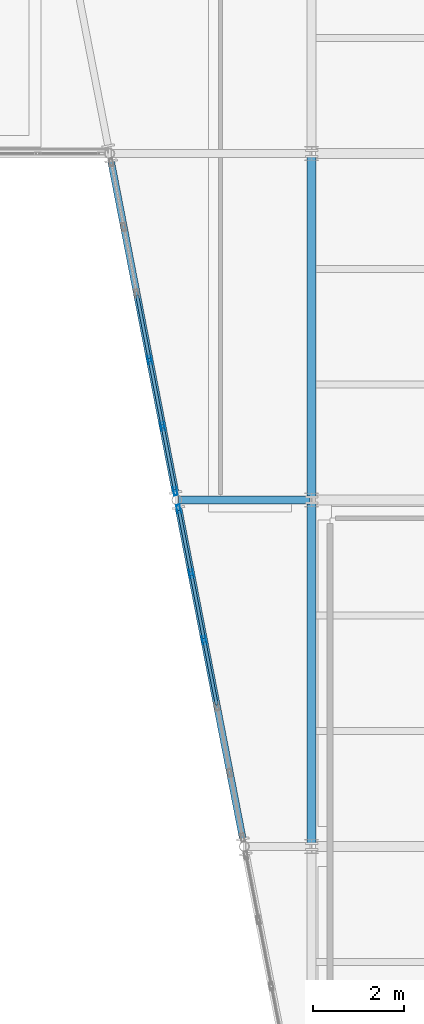
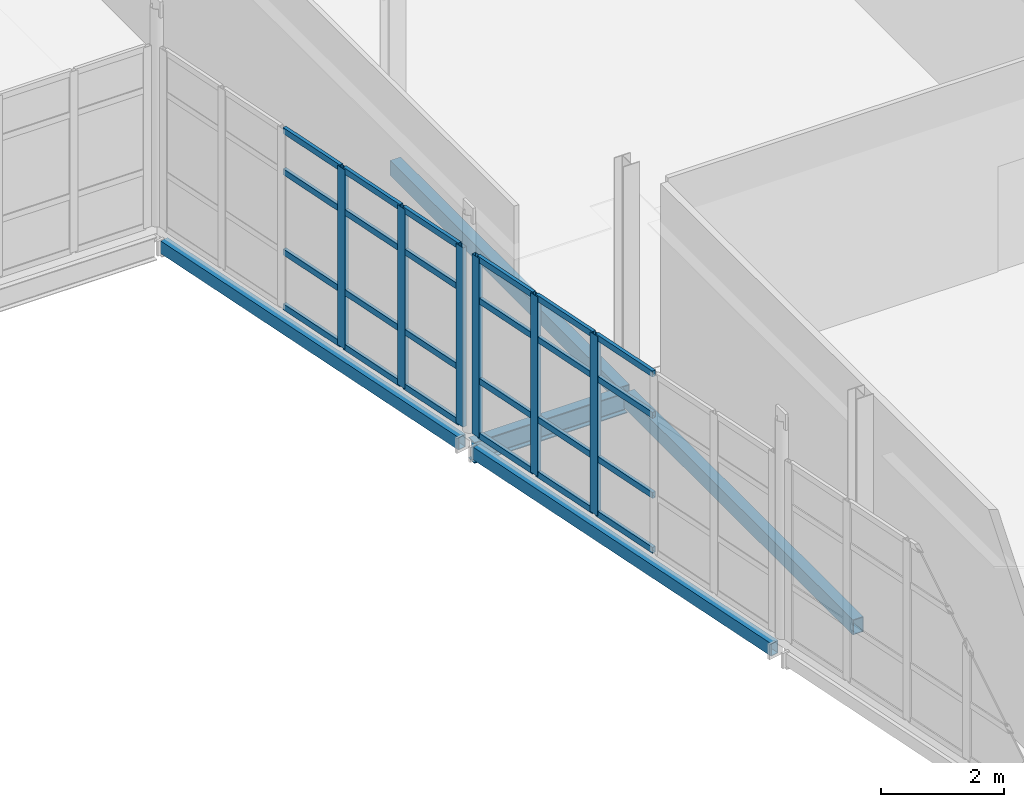
# One storey, part 87 of 166: 30 members, 5 beams, 2 elements without a shape of their own.
"""IFC4 building model written with IfcOpenShell, lengths in metres."""

import ifcopenshell
import ifcopenshell.guid

model = None  # the IFC model being written
_history = None  # IfcOwnerHistory: only IFC2X3 demands one
_inside = {}  # id of a spatial element -> (the spatial element, [elements in it])
_under = {}  # id of a project, library or spatial element -> (it, [spatial elements below it])
_declared = {}  # id of a project -> (the project, [libraries it declares])
_typed = {}  # id of a type object -> (the type object, [elements of that type])
_made_of = {}  # id of a material, layer set ... -> (it, [elements and type objects made of it])


def new_model(schema):
    """Start an empty IFC model of exactly this schema.

    Asked for "IFC4X3", IfcOpenShell would pick the latest addendum, in which some entities
    have other attributes; the version numbers below select the first issue.
    IFC2X3 requires an IfcOwnerHistory on every rooted entity: one is made here for all.
    """
    global model, _history
    if schema == "IFC4X3":
        model = ifcopenshell.file(schema_version=(4, 3, 0, 0))
    else:
        model = ifcopenshell.file(schema=schema)
    _inside.clear()
    _under.clear()
    _declared.clear()
    _typed.clear()
    _made_of.clear()
    _history = None
    if model.schema == "IFC2X3":
        org = make("IfcOrganization", Name="unknown")
        user = make(
            "IfcPersonAndOrganization",
            ThePerson=make("IfcPerson", FamilyName="unknown"),
            TheOrganization=org,
        )
        app = make(
            "IfcApplication",
            ApplicationDeveloper=org,
            Version="unknown",
            ApplicationFullName="unknown",
            ApplicationIdentifier="unknown",
        )
        _history = make(
            "IfcOwnerHistory",
            OwningUser=user,
            OwningApplication=app,
            ChangeAction="ADDED",
            CreationDate=0,
        )
    return model


def make(cls, **values):
    """One entity of the class cls with the attributes given. An attribute that is None is left unset."""
    return model.create_entity(
        cls, **{name: value for name, value in values.items() if value is not None}
    )


def rooted(cls, **values):
    """An entity with a GlobalId (a new one), such as an element, a storey or a relation."""
    return make(cls, GlobalId=ifcopenshell.guid.new(), OwnerHistory=_history, **values)


def si_unit(unit_type, name, prefix=None):
    """IfcSIUnit, for example si_unit("LENGTHUNIT", "METRE", prefix="MILLI")."""
    return make("IfcSIUnit", UnitType=unit_type, Prefix=prefix, Name=name)


def assignment(units):
    """IfcUnitAssignment: the units of a project."""
    return None if units is None else make("IfcUnitAssignment", Units=units)


def point(xyz):
    """IfcCartesianPoint."""
    return None if xyz is None else make("IfcCartesianPoint", Coordinates=xyz)


def direction(xyz):
    """IfcDirection."""
    return None if xyz is None else make("IfcDirection", DirectionRatios=xyz)


def frame(location, z_axis=None, x_axis=None):
    """IfcAxis2Placement3D, a coordinate frame: its origin and axes. An axis left out is left unset."""
    return make(
        "IfcAxis2Placement3D",
        Location=point(location),
        Axis=direction(z_axis),
        RefDirection=direction(x_axis),
    )


def frame_2d(location, x_axis=None):
    """IfcAxis2Placement2D, a coordinate frame in the plane: its origin and x axis."""
    return make(
        "IfcAxis2Placement2D", Location=point(location), RefDirection=direction(x_axis)
    )


def origin():
    """The frame at (0, 0, 0) with its axes left unset."""
    return frame((0.0, 0.0, 0.0))


def origin_2d():
    """The frame at (0, 0) in the plane with its x axis left unset."""
    return frame_2d((0.0, 0.0))


def place(relative_to, where):
    """IfcLocalPlacement: puts the frame where relative to a parent placement (None: the world)."""
    return make(
        "IfcLocalPlacement", PlacementRelTo=relative_to, RelativePlacement=where
    )


def context(
    kind, dimensions, precision=None, world=None, true_north=None, identifier=None
):
    """IfcGeometricRepresentationContext, for example the 3D "Model" context."""
    return make(
        "IfcGeometricRepresentationContext",
        ContextIdentifier=identifier,
        ContextType=kind,
        CoordinateSpaceDimension=dimensions,
        Precision=precision,
        WorldCoordinateSystem=world,
        TrueNorth=true_north,
    )


def subcontext(parent, identifier, kind, view, scale=None):
    """IfcGeometricRepresentationSubContext, for example "Body" below "Model"."""
    return make(
        "IfcGeometricRepresentationSubContext",
        ContextIdentifier=identifier,
        ContextType=kind,
        ParentContext=parent,
        TargetScale=scale,
        TargetView=view,
    )


def project(units=None, contexts=None):
    """IfcProject with its units and contexts."""
    return rooted(
        "IfcProject",
        Name="project",
        RepresentationContexts=contexts,
        UnitsInContext=assignment(units),
    )


def spatial(cls, under=None, at=None, **own):
    """A site, building, storey or space (cls), placed at a placement, below another one or the project."""
    s = rooted(cls, ObjectPlacement=at, **own)
    if under is not None:
        _under.setdefault(under.id(), (under, []))[1].append(s)
    return s


def profile(cls, at=None, kind="AREA", **sizes):
    """A parametric profile (cls). Its sizes go by their IFC names, for example OverallWidth=200.0."""
    return make(cls, ProfileType=kind, Position=at, **sizes)


def hollow_rectangle(**sizes):
    """IfcRectangleHollowProfileDef."""
    return profile("IfcRectangleHollowProfileDef", **sizes)


def i_section(**sizes):
    """IfcIShapeProfileDef."""
    return profile("IfcIShapeProfileDef", **sizes)


def extrude(swept, where, along, depth):
    """IfcExtrudedAreaSolid: the profile swept, set in the frame where, extruded along a direction by depth."""
    return make(
        "IfcExtrudedAreaSolid",
        SweptArea=swept,
        Position=where,
        ExtrudedDirection=direction(along),
        Depth=depth,
    )


def shape(context_of_items, identifier, shape_type, items):
    """IfcShapeRepresentation: the items that make up one representation, for example the "Body"."""
    return make(
        "IfcShapeRepresentation",
        ContextOfItems=context_of_items,
        RepresentationIdentifier=identifier,
        RepresentationType=shape_type,
        Items=items,
    )


def material(Name=None, Category=None):
    """IfcMaterial."""
    return make("IfcMaterial", Name=Name, Category=Category)


def material_profile(
    of_material, cross_section, Name=None, Category=None, Priority=None
):
    """IfcMaterialProfile: a cross section and its material."""
    return make(
        "IfcMaterialProfile",
        Name=Name,
        Material=of_material,
        Profile=cross_section,
        Priority=Priority,
        Category=Category,
    )


def profile_set(profiles, Name=None, composite=None):
    """IfcMaterialProfileSet."""
    return make(
        "IfcMaterialProfileSet",
        Name=Name,
        MaterialProfiles=profiles,
        CompositeProfile=composite,
    )


def made_of(thing, what):
    """Note that an element or type object is made of a material, layer set ...; save() writes the relation."""
    if what is not None:
        _made_of.setdefault(what.id(), (what, []))[1].append(thing)
    return thing


def type_object(cls, material=None, **own):
    """A type object (cls), such as IfcWallType, which elements share."""
    return made_of(rooted(cls, **own), material)


def element(
    cls,
    number,
    at=None,
    inside=None,
    cuts=None,
    type_object=None,
    material=None,
    context=None,
    identifier="Body",
    shape_type=None,
    held_by="IfcProductDefinitionShape",
    body=None,
    shapes=None,
    **own,
):
    """One element of the class cls, such as IfcWall. Its Tag is "e" and its number.

    at: its placement. inside: the storey or other place that contains it. cuts: it is an
    opening in that element (IfcRelVoidsElement). A single representation is given by context,
    identifier, shape_type and body (its items); several are given by shapes. held_by: the class
    of the entity that holds the representations. save() writes the other relations.
    """
    e = rooted(cls, Tag="e%d" % number, ObjectPlacement=at, **own)
    if body is not None:
        shapes = [shape(context, identifier, shape_type, body)]
    if shapes is not None:
        e.Representation = make(held_by, Representations=shapes)
    if inside is not None:
        _inside.setdefault(inside.id(), (inside, []))[1].append(e)
    if cuts is not None:
        rooted(
            "IfcRelVoidsElement", RelatingBuildingElement=cuts, RelatedOpeningElement=e
        )
    if type_object is not None:
        _typed.setdefault(type_object.id(), (type_object, []))[1].append(e)
    return made_of(e, material)


def aggregate(whole, parts):
    """IfcRelAggregates: a whole, such as a stair, and the parts it consists of."""
    return rooted("IfcRelAggregates", RelatingObject=whole, RelatedObjects=parts)


def save(model, path):
    """Write the relations noted so far, then the file.

    IfcRelAggregates (storeys below a building ...), IfcRelContainedInSpatialStructure (elements
    in a storey), IfcRelDefinesByType, IfcRelAssociatesMaterial and IfcRelDeclares: one each for
    every whole, place, type object, material and project.
    """
    for whole, parts in _under.values():
        aggregate(whole, parts)
    for where, things in _inside.values():
        rooted(
            "IfcRelContainedInSpatialStructure",
            RelatedElements=things,
            RelatingStructure=where,
        )
    for kind, things in _typed.values():
        rooted("IfcRelDefinesByType", RelatedObjects=things, RelatingType=kind)
    for what, things in _made_of.values():
        rooted("IfcRelAssociatesMaterial", RelatedObjects=things, RelatingMaterial=what)
    for by, libraries in _declared.values():
        rooted("IfcRelDeclares", RelatingContext=by, RelatedDefinitions=libraries)
    model.write(path)


model = new_model("IFC4")

# Units and contexts
model_context = context("Model", 3, precision=1e-05, world=origin(), true_north=direction((0.0, 1.0)))
body_context = subcontext(model_context, "Body", "Model", "MODEL_VIEW")
ifc_project = project(units=[si_unit("LENGTHUNIT", "METRE"), si_unit("AREAUNIT", "SQUARE_METRE"), si_unit("VOLUMEUNIT", "CUBIC_METRE"), si_unit("PLANEANGLEUNIT", "RADIAN"), si_unit("MASSUNIT", "GRAM", prefix="KILO")], contexts=[model_context])

# Site, building, storey
site_placement = place(None, origin())
site = spatial("IfcSite", under=ifc_project, at=site_placement, CompositionType="ELEMENT")
building_placement = place(site_placement, origin())
building = spatial("IfcBuilding", under=site, at=building_placement, Name="Caisbarro Railhouse Central Library", CompositionType="ELEMENT")
storey_placement = place(building_placement, frame((0.0, 0.0, 9.360107421875)))
storey = spatial("IfcBuildingStorey", under=building, at=storey_placement, Name="L02", CompositionType="ELEMENT", Elevation=9.360107421875)

# Beams
ifc_material_1 = material(Name="Steel ASTM A572 Grade 50", Category="steel")
ifc_material_profile_1 = material_profile(ifc_material_1, i_section(OverallWidth=0.180908203125, OverallDepth=0.4169921875, WebThickness=0.010986328125, FlangeThickness=0.018310546875, FilletRadius=0.01611328125, at=origin_2d()), Name="W410X85.0")
ifc_profile_set_1 = profile_set([ifc_material_profile_1], Name="Steel ASTM A572 Grade 50")
beam_type_1 = type_object("IfcBeamType", Name="BM-G09", PredefinedType="BEAM", material=ifc_profile_set_1)
beam_1_placement = place(storey_placement, frame((114.0849609375, 76.0, -0.4287109375), z_axis=(1.0, 0.0, 0.0), x_axis=(0.0, 1.0, 0.0)))
element("IfcBeam", 1, at=beam_1_placement, inside=storey, type_object=beam_type_1, Name="G09 beam L02 #1749", PredefinedType="BEAM", context=body_context, shape_type="SweptSolid", body=[
    extrude(i_section(OverallWidth=0.180908203125, OverallDepth=0.4169921875, WebThickness=0.010986328125, FlangeThickness=0.018310546875, FilletRadius=0.01611328125, at=origin_2d()), origin(), (0.0, 0.0, 1.0), 2.875),
])
ifc_material_profile_2 = material_profile(ifc_material_1, hollow_rectangle(XDim=0.199951171875, YDim=0.300048828125, WallThickness=0.012451171875, at=origin_2d()), Name="HSS300X200X12.5")
ifc_profile_set_2 = profile_set([ifc_material_profile_2], Name="Steel ASTM A572 Grade 50")
beam_type_2 = type_object("IfcBeamType", Name="BM-SP02", PredefinedType="SPANDREL", material=ifc_profile_set_2)
for number, where, z_axis, x_axis, name in (
    (2, (117.0, 68.47998046875, -0.3701171875), (0.0, 1.0, 0.0), (-1.0, 0.0, 0.0), "SP02 beam L02 #1507"),
    (3, (117.0, 76.080078125, -0.3701171875), (0.0, 1.0, 0.0), (-1.0, 0.0, 0.0), "SP02 beam L02 #1508"),
):
    element("IfcBeam", number, at=place(storey_placement, frame(where, z_axis=z_axis, x_axis=x_axis)), inside=storey, type_object=beam_type_2, Name=name, PredefinedType="SPANDREL", context=body_context, shape_type="SweptSolid", body=[
        extrude(hollow_rectangle(XDim=0.199951171875, YDim=0.300048828125, WallThickness=0.012451171875, at=origin_2d()), origin(), (0.0, 0.0, 1.0), 7.43994140625),
    ])
ifc_material_profile_3 = material_profile(ifc_material_1, hollow_rectangle(XDim=0.14990234375, YDim=0.25, WallThickness=0.010009765625, at=origin_2d()), Name="HSS250X150X10")
ifc_profile_set_3 = profile_set([ifc_material_profile_3], Name="Steel ASTM A572 Grade 50")
beam_type_3 = type_object("IfcBeamType", Name="BM-SP03", PredefinedType="SPANDREL", material=ifc_profile_set_3)
beam_2_placement = place(storey_placement, frame((115.488525390625, 68.57666015625, -0.34521484375), z_axis=(-0.19088559215, 0.981612291442, 0.0), x_axis=(-0.981612291442, -0.19088559215, 0.0)))
element("IfcBeam", 4, at=beam_2_placement, inside=storey, type_object=beam_type_3, Name="SP03 beam L02 #1743", PredefinedType="SPANDREL", context=body_context, shape_type="SweptSolid", body=[
    extrude(hollow_rectangle(XDim=0.14990234375, YDim=0.25, WallThickness=0.010009765625, at=origin_2d()), origin(), (0.0, 0.0, 1.0), 7.38232421875),
])
beam_3_placement = place(storey_placement, frame((114.0107421875, 76.1767578125, -0.34521484375), z_axis=(-0.1907899916, 0.981630877217, 0.0), x_axis=(-0.981630877217, -0.1907899916, 0.0)))
element("IfcBeam", 5, at=beam_3_placement, inside=storey, type_object=beam_type_3, Name="SP03 beam L02 #1744", PredefinedType="SPANDREL", context=body_context, shape_type="SweptSolid", body=[
    extrude(hollow_rectangle(XDim=0.14990234375, YDim=0.25, WallThickness=0.010009765625, at=origin_2d()), origin(), (0.0, 0.0, 1.0), 7.382080078125),
])

# Curtain wall, members
ifc_material_2 = material(Name="Anodised architectural aluminium", Category="aluminium")
curtain_wall_type = type_object("IfcCurtainWallType", Name="CW-CW02", PredefinedType="NOTDEFINED", material=ifc_material_2)
curtain_wall_1_placement = place(storey_placement, origin())
curtain_wall_1 = element("IfcCurtainWall", 6, at=curtain_wall_1_placement, inside=storey, type_object=curtain_wall_type, Name="CW02 curtain wall L02 #127", PredefinedType="NOTDEFINED")
ifc_material_profile_4 = material_profile(ifc_material_2, hollow_rectangle(XDim=0.074951171875, YDim=0.179931640625, WallThickness=0.00439453125, at=origin_2d()), Name="ALU-MUL-75X180")
ifc_profile_set_4 = profile_set([ifc_material_profile_4], Name="Anodised architectural aluminium")
member_type_1 = type_object("IfcMemberType", Name="CWM-M01", PredefinedType="MULLION", material=ifc_profile_set_4)
member_1_placement = place(storey_placement, frame((114.642333984375, 72.928466796875, 0.0), z_axis=(0.0, 0.0, 1.0), x_axis=(-0.98160739523, -0.190910768765, 0.0)))
member_1 = element("IfcMember", 7, at=member_1_placement, type_object=member_type_1, Name="CW02 mullion 4", PredefinedType="MULLION", context=body_context, shape_type="SweptSolid", body=[
    extrude(hollow_rectangle(XDim=0.074951171875, YDim=0.179931640625, WallThickness=0.00439453125, at=origin_2d()), origin(), (0.0, 0.0, 1.0), 3.559814453125),
])
member_2_placement = place(storey_placement, frame((114.35888671875, 74.3857421875, 0.0), z_axis=(0.0, 0.0, 1.0), x_axis=(-0.98160739523, -0.190910768765, 0.0)))
member_2 = element("IfcMember", 8, at=member_2_placement, type_object=member_type_1, Name="CW02 mullion 5", PredefinedType="MULLION", context=body_context, shape_type="SweptSolid", body=[
    extrude(hollow_rectangle(XDim=0.074951171875, YDim=0.179931640625, WallThickness=0.00439453125, at=origin_2d()), origin(), (0.0, 0.0, 1.0), 3.559814453125),
])
member_3_placement = place(storey_placement, frame((114.082763671875, 75.80615234375, 0.0), z_axis=(0.0, 0.0, 1.0), x_axis=(-0.98160739523, -0.190910768765, 0.0)))
member_3 = element("IfcMember", 9, at=member_3_placement, type_object=member_type_1, Name="CW02 mullion 6", PredefinedType="MULLION", context=body_context, shape_type="SweptSolid", body=[
    extrude(hollow_rectangle(XDim=0.074951171875, YDim=0.179931640625, WallThickness=0.00439453125, at=origin_2d()), origin(), (0.0, 0.0, 1.0), 3.559814453125),
])

curtain_wall_2_placement = place(storey_placement, origin())
curtain_wall_2 = element("IfcCurtainWall", 10, at=curtain_wall_2_placement, inside=storey, type_object=curtain_wall_type, Name="CW02 curtain wall L02 #128", PredefinedType="NOTDEFINED")
member_4_placement = place(storey_placement, frame((114.00732421875, 76.19384765625, 0.0), z_axis=(0.0, 0.0, 1.0), x_axis=(-0.981632635401, -0.190780945369, 0.0)))
member_4 = element("IfcMember", 11, at=member_4_placement, type_object=member_type_1, Name="CW02 mullion 1", PredefinedType="MULLION", context=body_context, shape_type="SweptSolid", body=[
    extrude(hollow_rectangle(XDim=0.074951171875, YDim=0.179931640625, WallThickness=0.00439453125, at=origin_2d()), origin(), (0.0, 0.0, 1.0), 3.559814453125),
])
member_5_placement = place(storey_placement, frame((113.731201171875, 77.6142578125, 0.0), z_axis=(0.0, 0.0, 1.0), x_axis=(-0.981632635401, -0.190780945369, 0.0)))
member_5 = element("IfcMember", 12, at=member_5_placement, type_object=member_type_1, Name="CW02 mullion 2", PredefinedType="MULLION", context=body_context, shape_type="SweptSolid", body=[
    extrude(hollow_rectangle(XDim=0.074951171875, YDim=0.179931640625, WallThickness=0.00439453125, at=origin_2d()), origin(), (0.0, 0.0, 1.0), 3.559814453125),
])
member_6_placement = place(storey_placement, frame((113.447998046875, 79.071533203125, 0.0), z_axis=(0.0, 0.0, 1.0), x_axis=(-0.981632635401, -0.190780945369, 0.0)))
member_6 = element("IfcMember", 13, at=member_6_placement, type_object=member_type_1, Name="CW02 mullion 3", PredefinedType="MULLION", context=body_context, shape_type="SweptSolid", body=[
    extrude(hollow_rectangle(XDim=0.074951171875, YDim=0.179931640625, WallThickness=0.00439453125, at=origin_2d()), origin(), (0.0, 0.0, 1.0), 3.559814453125),
])

# Member
ifc_material_profile_5 = material_profile(ifc_material_2, hollow_rectangle(XDim=0.06494140625, YDim=0.1201171875, WallThickness=0.00341796875, at=origin_2d()), Name="ALU-TRN-65X120")
ifc_profile_set_5 = profile_set([ifc_material_profile_5], Name="Anodised architectural aluminium")
member_type_2 = type_object("IfcMemberType", Name="CWT-T02", PredefinedType="USERDEFINED", material=ifc_profile_set_5)
member_7_placement = place(storey_placement, frame((114.91845703125, 71.50830078125, 0.032470703125), z_axis=(-0.190883567843, 0.981612685089, 0.0), x_axis=(-0.981612685089, -0.190883567843, 0.0)))
member_7 = element("IfcMember", 14, at=member_7_placement, type_object=member_type_2, Name="CW02 transom 3.1", ObjectType="TRANSOM", PredefinedType="USERDEFINED", context=body_context, shape_type="SweptSolid", body=[
    extrude(hollow_rectangle(XDim=0.06494140625, YDim=0.1201171875, WallThickness=0.00341796875, at=origin_2d()), origin(), (0.0, 0.0, 1.0), 1.409423828125),
])

member_8_placement = place(storey_placement, frame((114.91845703125, 71.50830078125, 1.119873046875), z_axis=(-0.190883567843, 0.981612685089, 0.0), x_axis=(-0.981612685089, -0.190883567843, 0.0)))
member_8 = element("IfcMember", 15, at=member_8_placement, type_object=member_type_2, Name="CW02 transom 3.2", ObjectType="TRANSOM", PredefinedType="USERDEFINED", context=body_context, shape_type="SweptSolid", body=[
    extrude(hollow_rectangle(XDim=0.06494140625, YDim=0.1201171875, WallThickness=0.00341796875, at=origin_2d()), origin(), (0.0, 0.0, 1.0), 1.409423828125),
])

member_9_placement = place(storey_placement, frame((114.91845703125, 71.50830078125, 2.7099609375), z_axis=(-0.190883567843, 0.981612685089, 0.0), x_axis=(-0.981612685089, -0.190883567843, 0.0)))
member_9 = element("IfcMember", 16, at=member_9_placement, type_object=member_type_2, Name="CW02 transom 3.3", ObjectType="TRANSOM", PredefinedType="USERDEFINED", context=body_context, shape_type="SweptSolid", body=[
    extrude(hollow_rectangle(XDim=0.06494140625, YDim=0.1201171875, WallThickness=0.00341796875, at=origin_2d()), origin(), (0.0, 0.0, 1.0), 1.409423828125),
])

member_10_placement = place(storey_placement, frame((114.91845703125, 71.50830078125, 3.52734375), z_axis=(-0.190883567843, 0.981612685089, 0.0), x_axis=(-0.981612685089, -0.190883567843, 0.0)))
member_10 = element("IfcMember", 17, at=member_10_placement, type_object=member_type_2, Name="CW02 transom 3.4", ObjectType="TRANSOM", PredefinedType="USERDEFINED", context=body_context, shape_type="SweptSolid", body=[
    extrude(hollow_rectangle(XDim=0.06494140625, YDim=0.1201171875, WallThickness=0.00341796875, at=origin_2d()), origin(), (0.0, 0.0, 1.0), 1.409423828125),
])

member_11_placement = place(storey_placement, frame((114.63525390625, 72.96533203125, 0.032470703125), z_axis=(-0.191050463767, 0.981580215925, 0.0), x_axis=(-0.981580215925, -0.191050463767, 0.0)))
member_11 = element("IfcMember", 18, at=member_11_placement, type_object=member_type_2, Name="CW02 transom 4.1", ObjectType="TRANSOM", PredefinedType="USERDEFINED", context=body_context, shape_type="SweptSolid", body=[
    extrude(hollow_rectangle(XDim=0.06494140625, YDim=0.1201171875, WallThickness=0.00341796875, at=origin_2d()), origin(), (0.0, 0.0, 1.0), 1.409423828125),
])

member_12_placement = place(storey_placement, frame((114.63525390625, 72.96533203125, 1.119873046875), z_axis=(-0.191050463767, 0.981580215925, 0.0), x_axis=(-0.981580215925, -0.191050463767, 0.0)))
member_12 = element("IfcMember", 19, at=member_12_placement, type_object=member_type_2, Name="CW02 transom 4.2", ObjectType="TRANSOM", PredefinedType="USERDEFINED", context=body_context, shape_type="SweptSolid", body=[
    extrude(hollow_rectangle(XDim=0.06494140625, YDim=0.1201171875, WallThickness=0.00341796875, at=origin_2d()), origin(), (0.0, 0.0, 1.0), 1.409423828125),
])

member_13_placement = place(storey_placement, frame((114.63525390625, 72.96533203125, 2.7099609375), z_axis=(-0.191050463767, 0.981580215925, 0.0), x_axis=(-0.981580215925, -0.191050463767, 0.0)))
member_13 = element("IfcMember", 20, at=member_13_placement, type_object=member_type_2, Name="CW02 transom 4.3", ObjectType="TRANSOM", PredefinedType="USERDEFINED", context=body_context, shape_type="SweptSolid", body=[
    extrude(hollow_rectangle(XDim=0.06494140625, YDim=0.1201171875, WallThickness=0.00341796875, at=origin_2d()), origin(), (0.0, 0.0, 1.0), 1.409423828125),
])

member_14_placement = place(storey_placement, frame((114.63525390625, 72.96533203125, 3.52734375), z_axis=(-0.191050463767, 0.981580215925, 0.0), x_axis=(-0.981580215925, -0.191050463767, 0.0)))
member_14 = element("IfcMember", 21, at=member_14_placement, type_object=member_type_2, Name="CW02 transom 4.4", ObjectType="TRANSOM", PredefinedType="USERDEFINED", context=body_context, shape_type="SweptSolid", body=[
    extrude(hollow_rectangle(XDim=0.06494140625, YDim=0.1201171875, WallThickness=0.00341796875, at=origin_2d()), origin(), (0.0, 0.0, 1.0), 1.409423828125),
])

member_15_placement = place(storey_placement, frame((114.351806640625, 74.422607421875, 0.032470703125), z_axis=(-0.190945868313, 0.981600568141, 0.0), x_axis=(-0.981600568141, -0.190945868313, 0.0)))
member_15 = element("IfcMember", 22, at=member_15_placement, type_object=member_type_2, Name="CW02 transom 5.1", ObjectType="TRANSOM", PredefinedType="USERDEFINED", context=body_context, shape_type="SweptSolid", body=[
    extrude(hollow_rectangle(XDim=0.06494140625, YDim=0.1201171875, WallThickness=0.00341796875, at=origin_2d()), origin(), (0.0, 0.0, 1.0), 1.371826171875),
])

member_16_placement = place(storey_placement, frame((114.351806640625, 74.422607421875, 1.119873046875), z_axis=(-0.190945868313, 0.981600568141, 0.0), x_axis=(-0.981600568141, -0.190945868313, 0.0)))
member_16 = element("IfcMember", 23, at=member_16_placement, type_object=member_type_2, Name="CW02 transom 5.2", ObjectType="TRANSOM", PredefinedType="USERDEFINED", context=body_context, shape_type="SweptSolid", body=[
    extrude(hollow_rectangle(XDim=0.06494140625, YDim=0.1201171875, WallThickness=0.00341796875, at=origin_2d()), origin(), (0.0, 0.0, 1.0), 1.371826171875),
])

member_17_placement = place(storey_placement, frame((114.351806640625, 74.422607421875, 2.7099609375), z_axis=(-0.190945868313, 0.981600568141, 0.0), x_axis=(-0.981600568141, -0.190945868313, 0.0)))
member_17 = element("IfcMember", 24, at=member_17_placement, type_object=member_type_2, Name="CW02 transom 5.3", ObjectType="TRANSOM", PredefinedType="USERDEFINED", context=body_context, shape_type="SweptSolid", body=[
    extrude(hollow_rectangle(XDim=0.06494140625, YDim=0.1201171875, WallThickness=0.00341796875, at=origin_2d()), origin(), (0.0, 0.0, 1.0), 1.371826171875),
])

member_18_placement = place(storey_placement, frame((114.351806640625, 74.422607421875, 3.52734375), z_axis=(-0.190945868313, 0.981600568141, 0.0), x_axis=(-0.981600568141, -0.190945868313, 0.0)))
member_18 = element("IfcMember", 25, at=member_18_placement, type_object=member_type_2, Name="CW02 transom 5.4", ObjectType="TRANSOM", PredefinedType="USERDEFINED", context=body_context, shape_type="SweptSolid", body=[
    extrude(hollow_rectangle(XDim=0.06494140625, YDim=0.1201171875, WallThickness=0.00341796875, at=origin_2d()), origin(), (0.0, 0.0, 1.0), 1.371826171875),
])

aggregate(curtain_wall_1, [member_1, member_2, member_3, member_7, member_8, member_9, member_10, member_11, member_12, member_13, member_14, member_15, member_16, member_17, member_18])

member_19_placement = place(storey_placement, frame((114.000244140625, 76.230712890625, 0.032470703125), z_axis=(-0.190774392735, 0.981633908887, 0.0), x_axis=(-0.981633908887, -0.190774392735, 0.0)))
member_19 = element("IfcMember", 26, at=member_19_placement, type_object=member_type_2, Name="CW02 transom 1.1", ObjectType="TRANSOM", PredefinedType="USERDEFINED", context=body_context, shape_type="SweptSolid", body=[
    extrude(hollow_rectangle(XDim=0.06494140625, YDim=0.1201171875, WallThickness=0.00341796875, at=origin_2d()), origin(), (0.0, 0.0, 1.0), 1.371826171875),
])

member_20_placement = place(storey_placement, frame((114.000244140625, 76.230712890625, 1.119873046875), z_axis=(-0.190774392735, 0.981633908887, 0.0), x_axis=(-0.981633908887, -0.190774392735, 0.0)))
member_20 = element("IfcMember", 27, at=member_20_placement, type_object=member_type_2, Name="CW02 transom 1.2", ObjectType="TRANSOM", PredefinedType="USERDEFINED", context=body_context, shape_type="SweptSolid", body=[
    extrude(hollow_rectangle(XDim=0.06494140625, YDim=0.1201171875, WallThickness=0.00341796875, at=origin_2d()), origin(), (0.0, 0.0, 1.0), 1.371826171875),
])

member_21_placement = place(storey_placement, frame((114.000244140625, 76.230712890625, 2.7099609375), z_axis=(-0.190774392735, 0.981633908887, 0.0), x_axis=(-0.981633908887, -0.190774392735, 0.0)))
member_21 = element("IfcMember", 28, at=member_21_placement, type_object=member_type_2, Name="CW02 transom 1.3", ObjectType="TRANSOM", PredefinedType="USERDEFINED", context=body_context, shape_type="SweptSolid", body=[
    extrude(hollow_rectangle(XDim=0.06494140625, YDim=0.1201171875, WallThickness=0.00341796875, at=origin_2d()), origin(), (0.0, 0.0, 1.0), 1.371826171875),
])

member_22_placement = place(storey_placement, frame((114.000244140625, 76.230712890625, 3.52734375), z_axis=(-0.190774392735, 0.981633908887, 0.0), x_axis=(-0.981633908887, -0.190774392735, 0.0)))
member_22 = element("IfcMember", 29, at=member_22_placement, type_object=member_type_2, Name="CW02 transom 1.4", ObjectType="TRANSOM", PredefinedType="USERDEFINED", context=body_context, shape_type="SweptSolid", body=[
    extrude(hollow_rectangle(XDim=0.06494140625, YDim=0.1201171875, WallThickness=0.00341796875, at=origin_2d()), origin(), (0.0, 0.0, 1.0), 1.371826171875),
])

member_23_placement = place(storey_placement, frame((113.72412109375, 77.651123046875, 0.032470703125), z_axis=(-0.190716655365, 0.981645128021, 0.0), x_axis=(-0.981645128021, -0.190716655365, 0.0)))
member_23 = element("IfcMember", 30, at=member_23_placement, type_object=member_type_2, Name="CW02 transom 2.1", ObjectType="TRANSOM", PredefinedType="USERDEFINED", context=body_context, shape_type="SweptSolid", body=[
    extrude(hollow_rectangle(XDim=0.06494140625, YDim=0.1201171875, WallThickness=0.00341796875, at=origin_2d()), origin(), (0.0, 0.0, 1.0), 1.409423828125),
])

member_24_placement = place(storey_placement, frame((113.72412109375, 77.651123046875, 1.119873046875), z_axis=(-0.190716655365, 0.981645128021, 0.0), x_axis=(-0.981645128021, -0.190716655365, 0.0)))
member_24 = element("IfcMember", 31, at=member_24_placement, type_object=member_type_2, Name="CW02 transom 2.2", ObjectType="TRANSOM", PredefinedType="USERDEFINED", context=body_context, shape_type="SweptSolid", body=[
    extrude(hollow_rectangle(XDim=0.06494140625, YDim=0.1201171875, WallThickness=0.00341796875, at=origin_2d()), origin(), (0.0, 0.0, 1.0), 1.409423828125),
])

member_25_placement = place(storey_placement, frame((113.72412109375, 77.651123046875, 2.7099609375), z_axis=(-0.190716655365, 0.981645128021, 0.0), x_axis=(-0.981645128021, -0.190716655365, 0.0)))
member_25 = element("IfcMember", 32, at=member_25_placement, type_object=member_type_2, Name="CW02 transom 2.3", ObjectType="TRANSOM", PredefinedType="USERDEFINED", context=body_context, shape_type="SweptSolid", body=[
    extrude(hollow_rectangle(XDim=0.06494140625, YDim=0.1201171875, WallThickness=0.00341796875, at=origin_2d()), origin(), (0.0, 0.0, 1.0), 1.409423828125),
])

member_26_placement = place(storey_placement, frame((113.72412109375, 77.651123046875, 3.52734375), z_axis=(-0.190716655365, 0.981645128021, 0.0), x_axis=(-0.981645128021, -0.190716655365, 0.0)))
member_26 = element("IfcMember", 33, at=member_26_placement, type_object=member_type_2, Name="CW02 transom 2.4", ObjectType="TRANSOM", PredefinedType="USERDEFINED", context=body_context, shape_type="SweptSolid", body=[
    extrude(hollow_rectangle(XDim=0.06494140625, YDim=0.1201171875, WallThickness=0.00341796875, at=origin_2d()), origin(), (0.0, 0.0, 1.0), 1.409423828125),
])

member_27_placement = place(storey_placement, frame((113.44091796875, 79.108154296875, 0.032470703125), z_axis=(-0.190716655365, 0.981645128021, 0.0), x_axis=(-0.981645128021, -0.190716655365, 0.0)))
member_27 = element("IfcMember", 34, at=member_27_placement, type_object=member_type_2, Name="CW02 transom 3.1", ObjectType="TRANSOM", PredefinedType="USERDEFINED", context=body_context, shape_type="SweptSolid", body=[
    extrude(hollow_rectangle(XDim=0.06494140625, YDim=0.1201171875, WallThickness=0.00341796875, at=origin_2d()), origin(), (0.0, 0.0, 1.0), 1.409423828125),
])

member_28_placement = place(storey_placement, frame((113.44091796875, 79.108154296875, 1.119873046875), z_axis=(-0.190716655365, 0.981645128021, 0.0), x_axis=(-0.981645128021, -0.190716655365, 0.0)))
member_28 = element("IfcMember", 35, at=member_28_placement, type_object=member_type_2, Name="CW02 transom 3.2", ObjectType="TRANSOM", PredefinedType="USERDEFINED", context=body_context, shape_type="SweptSolid", body=[
    extrude(hollow_rectangle(XDim=0.06494140625, YDim=0.1201171875, WallThickness=0.00341796875, at=origin_2d()), origin(), (0.0, 0.0, 1.0), 1.409423828125),
])

member_29_placement = place(storey_placement, frame((113.44091796875, 79.108154296875, 2.7099609375), z_axis=(-0.190716655365, 0.981645128021, 0.0), x_axis=(-0.981645128021, -0.190716655365, 0.0)))
member_29 = element("IfcMember", 36, at=member_29_placement, type_object=member_type_2, Name="CW02 transom 3.3", ObjectType="TRANSOM", PredefinedType="USERDEFINED", context=body_context, shape_type="SweptSolid", body=[
    extrude(hollow_rectangle(XDim=0.06494140625, YDim=0.1201171875, WallThickness=0.00341796875, at=origin_2d()), origin(), (0.0, 0.0, 1.0), 1.409423828125),
])

member_30_placement = place(storey_placement, frame((113.44091796875, 79.108154296875, 3.52734375), z_axis=(-0.190716655365, 0.981645128021, 0.0), x_axis=(-0.981645128021, -0.190716655365, 0.0)))
member_30 = element("IfcMember", 37, at=member_30_placement, type_object=member_type_2, Name="CW02 transom 3.4", ObjectType="TRANSOM", PredefinedType="USERDEFINED", context=body_context, shape_type="SweptSolid", body=[
    extrude(hollow_rectangle(XDim=0.06494140625, YDim=0.1201171875, WallThickness=0.00341796875, at=origin_2d()), origin(), (0.0, 0.0, 1.0), 1.409423828125),
])

aggregate(curtain_wall_2, [member_4, member_5, member_6, member_19, member_20, member_21, member_22, member_23, member_24, member_25, member_26, member_27, member_28, member_29, member_30])

save(model, "model.ifc")
